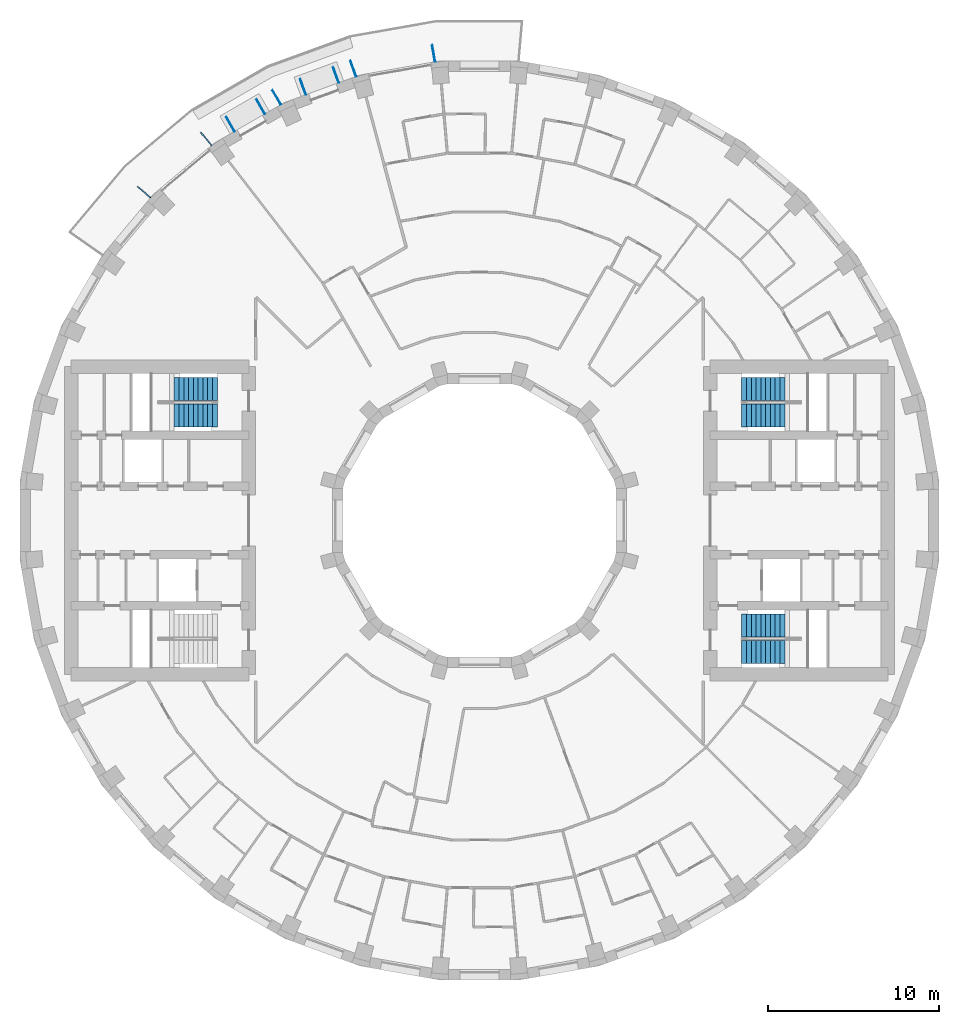
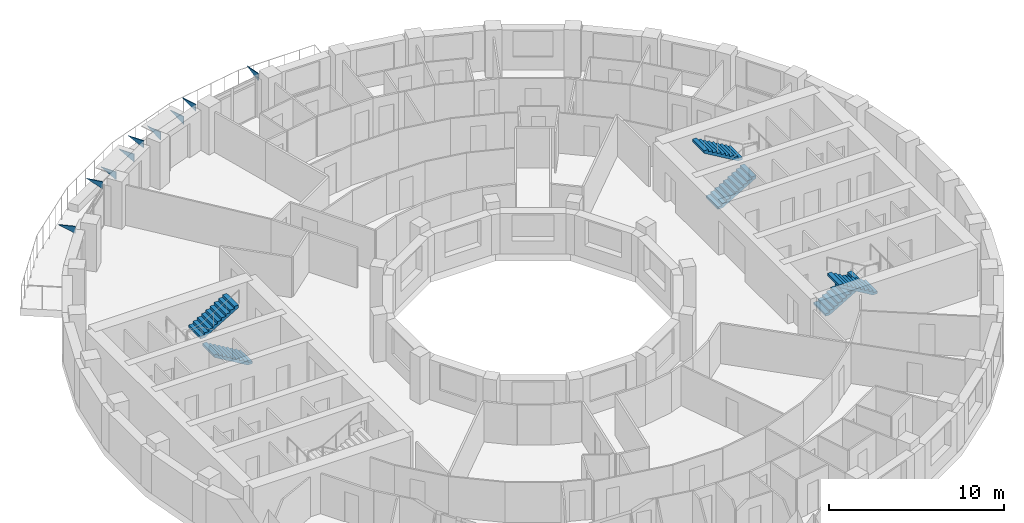
# One storey, part 13 of 14: 9 discrete accessories, 6 stair flights, 3 elements without a shape of their own.
"""IFC4 building model written with IfcOpenShell, lengths in metres."""

from ifc_helpers import new_model, si_unit, direction, frame, origin, place, context, subcontext, project, spatial, polyline, outline, extrude, material, layer, layer_set, type_object, element, aggregate, save


model = new_model("IFC4")

# Units and contexts
model_context = context("Model", 3, precision=1e-05, world=origin(), true_north=direction((0.0, 1.0)))
body_context = subcontext(model_context, "Body", "Model", "MODEL_VIEW")
ifc_project = project(units=[si_unit("LENGTHUNIT", "METRE"), si_unit("AREAUNIT", "SQUARE_METRE"), si_unit("VOLUMEUNIT", "CUBIC_METRE"), si_unit("PLANEANGLEUNIT", "RADIAN"), si_unit("MASSUNIT", "GRAM", prefix="KILO")], contexts=[model_context])

# Site, building, storey
site_placement = place(None, origin())
site = spatial("IfcSite", under=ifc_project, at=site_placement, CompositionType="ELEMENT")
building_placement = place(site_placement, origin())
building = spatial("IfcBuilding", under=site, at=building_placement, Name="Saqina Gate Tower", CompositionType="ELEMENT")
storey_placement = place(building_placement, frame((0.0, 0.0, 91.89990234375)))
storey = spatial("IfcBuildingStorey", under=building, at=storey_placement, Name="L25", CompositionType="ELEMENT", Elevation=91.89990234375)

# Stair, stair flights
ifc_material_1 = material(Name="Concrete C40/50", Category="concrete")
stair_type = type_object("IfcStairType", Name="EXIT STAIR", PredefinedType="HALF_TURN_STAIR", material=ifc_material_1)
stair_1_placement = place(storey_placement, origin())
stair_1 = element("IfcStair", 1, at=stair_1_placement, inside=storey, type_object=stair_type, Name="EXIT STAIR 1", PredefinedType="HALF_TURN_STAIR")
ifc_material_2 = material(Name="Concrete C40/50", Category="concrete")
stair_flight_type = type_object("IfcStairFlightType", Name="EXIT STAIR FLIGHT", PredefinedType="STRAIGHT", material=ifc_material_2)
stair_flight_1_placement = place(storey_placement, frame((15.35009765625, 6.1416015625, 0.0), z_axis=(0.0, 0.0, 1.0), x_axis=(1.0, 0.0, 0.0)))
stair_flight_1 = element("IfcStairFlight", 2, at=stair_flight_1_placement, type_object=stair_flight_type, Name="EXIT STAIR 1 FLIGHT 1", NumberOfRisers=10, NumberOfTreads=9, PredefinedType="STRAIGHT", RiserHeight=0.165, TreadLength=0.28, context=body_context, shape_type="SweptSolid", body=[
    extrude(outline(polyline([(0.0, 0.0), (0.0, 0.1650390625), (0.280029296875, 0.1650390625), (0.280029296875, 0.330078125), (0.56005859375, 0.330078125), (0.56005859375, 0.4951171875), (0.840087890625, 0.4951171875), (0.840087890625, 0.659912109375), (1.1201171875, 0.659912109375), (1.1201171875, 0.824951171875), (1.39990234375, 0.824951171875), (1.39990234375, 0.989990234375), (1.679931640625, 0.989990234375), (1.679931640625, 1.155029296875), (1.9599609375, 1.155029296875), (1.9599609375, 1.320068359375), (2.239990234375, 1.320068359375), (2.239990234375, 1.485107421875), (2.52001953125, 1.485107421875), (2.52001953125, 1.64990234375), (2.52001953125, 1.31103515625), (0.295166015625, 0.0), (0.0, 0.0)])), frame((0.0, 0.675048828125, 0.0), z_axis=(0.0, -1.0, 0.0), x_axis=(1.0, 0.0, 0.0)), (0.0, 0.0, 1.0), 1.35009765625),
])
stair_flight_2_placement = place(storey_placement, frame((17.8701171875, 7.708251953125, 1.650146484375), z_axis=(0.0, 0.0, 1.0), x_axis=(-1.0, 0.0, 0.0)))
stair_flight_2 = element("IfcStairFlight", 3, at=stair_flight_2_placement, type_object=stair_flight_type, Name="EXIT STAIR 1 FLIGHT 2", NumberOfRisers=10, NumberOfTreads=9, PredefinedType="STRAIGHT", RiserHeight=0.165, TreadLength=0.28, context=body_context, shape_type="SweptSolid", body=[
    extrude(outline(polyline([(0.0, 0.0), (0.0, 0.1650390625), (0.280029296875, 0.1650390625), (0.280029296875, 0.330078125), (0.56005859375, 0.330078125), (0.56005859375, 0.4951171875), (0.840087890625, 0.4951171875), (0.840087890625, 0.659912109375), (1.1201171875, 0.659912109375), (1.1201171875, 0.824951171875), (1.39990234375, 0.824951171875), (1.39990234375, 0.989990234375), (1.679931640625, 0.989990234375), (1.679931640625, 1.155029296875), (1.9599609375, 1.155029296875), (1.9599609375, 1.320068359375), (2.239990234375, 1.320068359375), (2.239990234375, 1.485107421875), (2.52001953125, 1.485107421875), (2.52001953125, 1.64990234375), (2.52001953125, 1.31103515625), (0.295166015625, 0.0), (0.0, 0.0)])), frame((0.0, 0.675048828125, 0.0), z_axis=(0.0, -1.0, 0.0), x_axis=(1.0, 0.0, 0.0)), (0.0, 0.0, 1.0), 1.35009765625),
])
aggregate(stair_1, [stair_flight_1, stair_flight_2])

stair_2_placement = place(storey_placement, origin())
stair_2 = element("IfcStair", 4, at=stair_2_placement, inside=storey, type_object=stair_type, Name="EXIT STAIR 2", PredefinedType="HALF_TURN_STAIR")
stair_flight_3_placement = place(storey_placement, frame((15.35009765625, -6.1416015625, 0.0), z_axis=(0.0, 0.0, 1.0), x_axis=(1.0, 0.0, 0.0)))
stair_flight_3 = element("IfcStairFlight", 5, at=stair_flight_3_placement, type_object=stair_flight_type, Name="EXIT STAIR 2 FLIGHT 1", NumberOfRisers=10, NumberOfTreads=9, PredefinedType="STRAIGHT", RiserHeight=0.165, TreadLength=0.28, context=body_context, shape_type="SweptSolid", body=[
    extrude(outline(polyline([(0.0, 0.0), (0.0, 0.1650390625), (0.280029296875, 0.1650390625), (0.280029296875, 0.330078125), (0.56005859375, 0.330078125), (0.56005859375, 0.4951171875), (0.840087890625, 0.4951171875), (0.840087890625, 0.659912109375), (1.1201171875, 0.659912109375), (1.1201171875, 0.824951171875), (1.39990234375, 0.824951171875), (1.39990234375, 0.989990234375), (1.679931640625, 0.989990234375), (1.679931640625, 1.155029296875), (1.9599609375, 1.155029296875), (1.9599609375, 1.320068359375), (2.239990234375, 1.320068359375), (2.239990234375, 1.485107421875), (2.52001953125, 1.485107421875), (2.52001953125, 1.64990234375), (2.52001953125, 1.31103515625), (0.295166015625, 0.0), (0.0, 0.0)])), frame((0.0, 0.675048828125, 0.0), z_axis=(0.0, -1.0, 0.0), x_axis=(1.0, 0.0, 0.0)), (0.0, 0.0, 1.0), 1.35009765625),
])
stair_flight_4_placement = place(storey_placement, frame((17.8701171875, -7.708251953125, 1.650146484375), z_axis=(0.0, 0.0, 1.0), x_axis=(-1.0, 0.0, 0.0)))
stair_flight_4 = element("IfcStairFlight", 6, at=stair_flight_4_placement, type_object=stair_flight_type, Name="EXIT STAIR 2 FLIGHT 2", NumberOfRisers=10, NumberOfTreads=9, PredefinedType="STRAIGHT", RiserHeight=0.165, TreadLength=0.28, context=body_context, shape_type="SweptSolid", body=[
    extrude(outline(polyline([(0.0, 0.0), (0.0, 0.1650390625), (0.280029296875, 0.1650390625), (0.280029296875, 0.330078125), (0.56005859375, 0.330078125), (0.56005859375, 0.4951171875), (0.840087890625, 0.4951171875), (0.840087890625, 0.659912109375), (1.1201171875, 0.659912109375), (1.1201171875, 0.824951171875), (1.39990234375, 0.824951171875), (1.39990234375, 0.989990234375), (1.679931640625, 0.989990234375), (1.679931640625, 1.155029296875), (1.9599609375, 1.155029296875), (1.9599609375, 1.320068359375), (2.239990234375, 1.320068359375), (2.239990234375, 1.485107421875), (2.52001953125, 1.485107421875), (2.52001953125, 1.64990234375), (2.52001953125, 1.31103515625), (0.295166015625, 0.0), (0.0, 0.0)])), frame((0.0, 0.675048828125, 0.0), z_axis=(0.0, -1.0, 0.0), x_axis=(1.0, 0.0, 0.0)), (0.0, 0.0, 1.0), 1.35009765625),
])
aggregate(stair_2, [stair_flight_3, stair_flight_4])

stair_3_placement = place(storey_placement, origin())
stair_3 = element("IfcStair", 7, at=stair_3_placement, inside=storey, type_object=stair_type, Name="EXIT STAIR 3", PredefinedType="HALF_TURN_STAIR")
stair_flight_5_placement = place(storey_placement, frame((-15.35009765625, 6.1416015625, 0.0), z_axis=(0.0, 0.0, 1.0), x_axis=(-1.0, 0.0, 0.0)))
stair_flight_5 = element("IfcStairFlight", 8, at=stair_flight_5_placement, type_object=stair_flight_type, Name="EXIT STAIR 3 FLIGHT 1", NumberOfRisers=10, NumberOfTreads=9, PredefinedType="STRAIGHT", RiserHeight=0.165, TreadLength=0.28, context=body_context, shape_type="SweptSolid", body=[
    extrude(outline(polyline([(0.0, 0.0), (0.0, 0.1650390625), (0.280029296875, 0.1650390625), (0.280029296875, 0.330078125), (0.56005859375, 0.330078125), (0.56005859375, 0.4951171875), (0.840087890625, 0.4951171875), (0.840087890625, 0.659912109375), (1.1201171875, 0.659912109375), (1.1201171875, 0.824951171875), (1.39990234375, 0.824951171875), (1.39990234375, 0.989990234375), (1.679931640625, 0.989990234375), (1.679931640625, 1.155029296875), (1.9599609375, 1.155029296875), (1.9599609375, 1.320068359375), (2.239990234375, 1.320068359375), (2.239990234375, 1.485107421875), (2.52001953125, 1.485107421875), (2.52001953125, 1.64990234375), (2.52001953125, 1.31103515625), (0.295166015625, 0.0), (0.0, 0.0)])), frame((0.0, 0.675048828125, 0.0), z_axis=(0.0, -1.0, 0.0), x_axis=(1.0, 0.0, 0.0)), (0.0, 0.0, 1.0), 1.35009765625),
])
stair_flight_6_placement = place(storey_placement, frame((-17.8701171875, 7.708251953125, 1.650146484375), z_axis=(0.0, 0.0, 1.0), x_axis=(1.0, 0.0, 0.0)))
stair_flight_6 = element("IfcStairFlight", 9, at=stair_flight_6_placement, type_object=stair_flight_type, Name="EXIT STAIR 3 FLIGHT 2", NumberOfRisers=10, NumberOfTreads=9, PredefinedType="STRAIGHT", RiserHeight=0.165, TreadLength=0.28, context=body_context, shape_type="SweptSolid", body=[
    extrude(outline(polyline([(0.0, 0.0), (0.0, 0.1650390625), (0.280029296875, 0.1650390625), (0.280029296875, 0.330078125), (0.56005859375, 0.330078125), (0.56005859375, 0.4951171875), (0.840087890625, 0.4951171875), (0.840087890625, 0.659912109375), (1.1201171875, 0.659912109375), (1.1201171875, 0.824951171875), (1.39990234375, 0.824951171875), (1.39990234375, 0.989990234375), (1.679931640625, 0.989990234375), (1.679931640625, 1.155029296875), (1.9599609375, 1.155029296875), (1.9599609375, 1.320068359375), (2.239990234375, 1.320068359375), (2.239990234375, 1.485107421875), (2.52001953125, 1.485107421875), (2.52001953125, 1.64990234375), (2.52001953125, 1.31103515625), (0.295166015625, 0.0), (0.0, 0.0)])), frame((0.0, 0.675048828125, 0.0), z_axis=(0.0, -1.0, 0.0), x_axis=(1.0, 0.0, 0.0)), (0.0, 0.0, 1.0), 1.35009765625),
])
aggregate(stair_3, [stair_flight_5, stair_flight_6])

# Discrete accessories
ifc_material_3 = material(Name="Galvanised steel", Category="steel")
ifc_layer_1 = layer(ifc_material_3, 0.050048828125)
ifc_layer_set_1 = layer_set([ifc_layer_1], Name="BR-AWNING")
discrete_accessory_type_1 = type_object("IfcDiscreteAccessoryType", Name="BR-AWNING", PredefinedType="BRACKET", material=ifc_layer_set_1)
for number, where, z_axis, x_axis, name in (
    (10, (-8.2607421875, 25.61669921875, 1.97509765625), (-0.939686455819, -0.342037080957, 0.0), (0.0, 0.0, 1.0), "Awning bracket L25 facet 11"),
    (11, (-10.18505859375, 24.91650390625, 1.97509765625), (-0.939686455819, -0.342037080957, 0.0), (0.0, 0.0, 1.0), "Awning bracket L25 facet 11"),
):
    element("IfcDiscreteAccessory", number, at=place(storey_placement, frame(where, z_axis=z_axis, x_axis=x_axis)), inside=storey, type_object=discrete_accessory_type_1, Name=name, PredefinedType="BRACKET", context=body_context, shape_type="SweptSolid", body=[
        extrude(outline(polyline([(0.0, 0.0), (0.550048828125, 0.0), (0.550048828125, 1.000011503630275), (0.0, 0.0)])), origin(), (0.0, 0.0, -1.0), 0.050048828125),
    ])
for number, where, z_axis, x_axis, name in (
    (12, (-12.58349609375, 23.793212890625, 1.97509765625), (-0.866010750942, -0.50002537861, 0.0), (0.0, 0.0, 1.0), "Awning bracket L25 facet 12"),
    (13, (-14.35693359375, 22.769287109375, 1.97509765625), (-0.866010750942, -0.50002537861, 0.0), (0.0, 0.0, 1.0), "Awning bracket L25 facet 12"),
):
    element("IfcDiscreteAccessory", number, at=place(storey_placement, frame(where, z_axis=z_axis, x_axis=x_axis)), inside=storey, type_object=discrete_accessory_type_1, Name=name, PredefinedType="BRACKET", context=body_context, shape_type="SweptSolid", body=[
        extrude(outline(polyline([(0.0, 0.0), (0.550048828125, 0.0), (0.550048828125, 0.9999492453569568), (0.0, 0.0)])), origin(), (0.0, 0.0, -1.0), 0.050048828125),
    ])
ifc_material_4 = material(Name="Galvanised steel", Category="steel")
ifc_layer_2 = layer(ifc_material_4, 0.050048828125)
ifc_layer_set_2 = layer_set([ifc_layer_2], Name="BR-GUSSET")
discrete_accessory_type_2 = type_object("IfcDiscreteAccessoryType", Name="BR-GUSSET", PredefinedType="BRACKET", material=ifc_layer_set_2)
discrete_accessory_1_placement = place(storey_placement, frame((-2.6240234375, 26.849609375, 2.300048828125), z_axis=(-0.984813043937, -0.173618168668, 0.0), x_axis=(0.0, 0.0, 1.0)))
element("IfcDiscreteAccessory", 14, at=discrete_accessory_1_placement, inside=storey, type_object=discrete_accessory_type_2, Name="Terrace slab bracket L26 1", PredefinedType="BRACKET", context=body_context, shape_type="SweptSolid", body=[
    extrude(outline(polyline([(0.0, 0.0), (0.5, 0.0), (0.5, 0.9998031064747768), (0.0, 0.0)])), origin(), (0.0, 0.0, -1.0), 0.050048828125),
])
discrete_accessory_2_placement = place(storey_placement, frame((-7.24658203125, 25.98583984375, 2.300048828125), z_axis=(-0.939764905391, -0.341821477669, 0.0), x_axis=(0.0, 0.0, 1.0)))
element("IfcDiscreteAccessory", 15, at=discrete_accessory_2_placement, inside=storey, type_object=discrete_accessory_type_2, Name="Terrace slab bracket L26 2", PredefinedType="BRACKET", context=body_context, shape_type="SweptSolid", body=[
    extrude(outline(polyline([(0.0, 0.0), (0.5, 0.0), (0.5, 0.999928024801219), (0.0, 0.0)])), origin(), (0.0, 0.0, -1.0), 0.050048828125),
])
discrete_accessory_3_placement = place(storey_placement, frame((-11.648681640625, 24.332763671875, 2.300048828125), z_axis=(-0.866010750942, -0.50002537861, 0.0), x_axis=(0.0, 0.0, 1.0)))
element("IfcDiscreteAccessory", 16, at=discrete_accessory_3_placement, inside=storey, type_object=discrete_accessory_type_2, Name="Terrace slab bracket L26 3", PredefinedType="BRACKET", context=body_context, shape_type="SweptSolid", body=[
    extrude(outline(polyline([(0.0, 0.0), (0.5, 0.0), (0.5, 0.9999492453569568), (0.0, 0.0)])), origin(), (0.0, 0.0, -1.0), 0.050048828125),
])
for number, where, z_axis, x_axis, name in (
    (17, (-15.697265625, 21.940185546875, 2.300048828125), (-0.766055819685, -0.64277405138, 0.0), (0.0, 0.0, 1.0), "Terrace slab bracket L26 4"),
    (18, (-19.2685546875, 18.881103515625, 2.300048828125), (-0.64277405138, -0.766055819685, 0.0), (0.0, 0.0, 1.0), "Terrace slab bracket L26 5"),
):
    element("IfcDiscreteAccessory", number, at=place(storey_placement, frame(where, z_axis=z_axis, x_axis=x_axis)), inside=storey, type_object=discrete_accessory_type_2, Name=name, PredefinedType="BRACKET", context=body_context, shape_type="SweptSolid", body=[
        extrude(outline(polyline([(0.0, 0.0), (0.5, 0.0), (0.5, 1.0000750096322275), (0.0, 0.0)])), origin(), (0.0, 0.0, -1.0), 0.050048828125),
    ])

save(model, "model.ifc")
